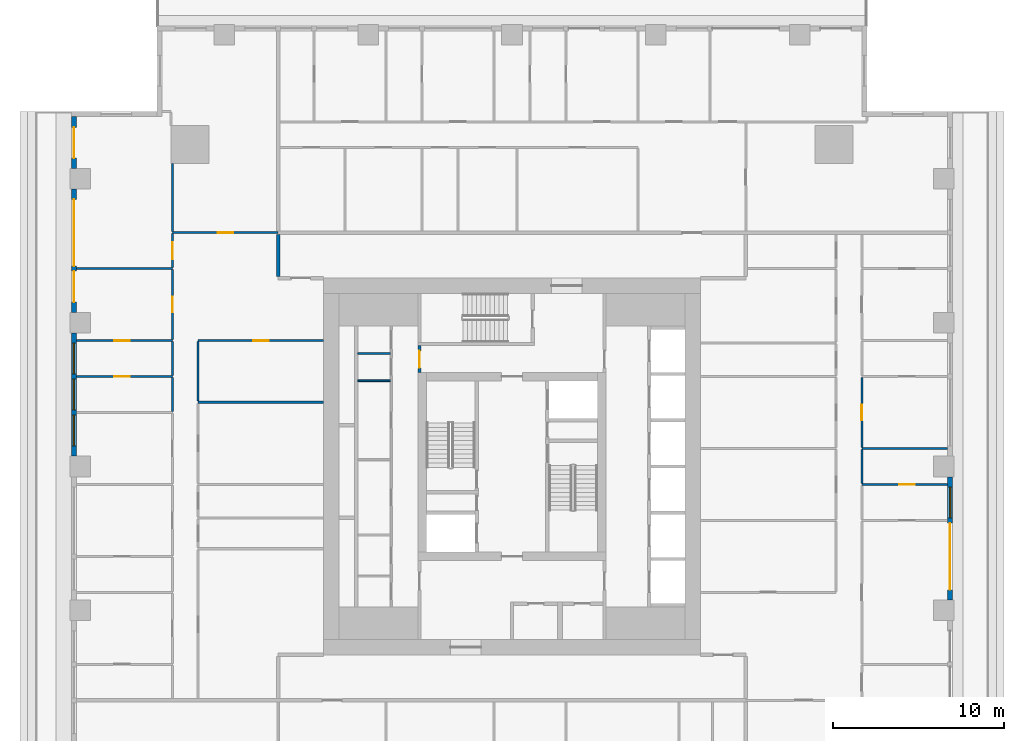
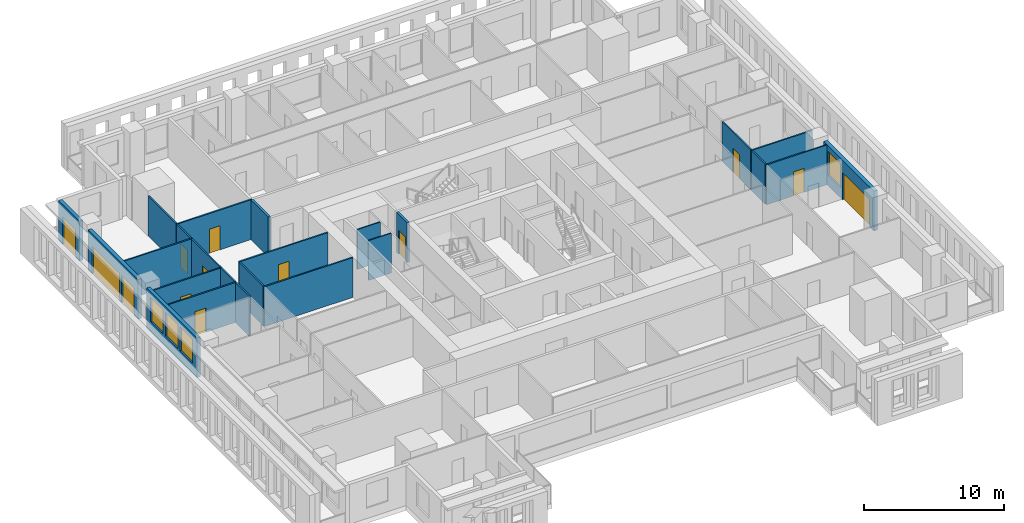
# One storey, part 6 of 14: 24 walls, 13 doors, 4 windows, 17 openings.
"""IFC4 building model written with IfcOpenShell, lengths in metres."""

from ifc_helpers import new_model, si_unit, direction, frame, frame_2d, origin, place, context, subcontext, project, spatial, rectangle, extrude, material, layer, layer_set, type_object, element, fill, save


model = new_model("IFC4")

# Units and contexts
model_context = context("Model", 3, precision=1e-05, world=origin(), true_north=direction((0.0, 1.0)))
body_context = subcontext(model_context, "Body", "Model", "MODEL_VIEW")
ifc_project = project(units=[si_unit("LENGTHUNIT", "METRE"), si_unit("AREAUNIT", "SQUARE_METRE"), si_unit("VOLUMEUNIT", "CUBIC_METRE"), si_unit("PLANEANGLEUNIT", "RADIAN"), si_unit("MASSUNIT", "GRAM", prefix="KILO")], contexts=[model_context])

# Site, building, storey
site_placement = place(None, origin())
site = spatial("IfcSite", under=ifc_project, at=site_placement, CompositionType="ELEMENT")
building_placement = place(site_placement, origin())
building = spatial("IfcBuilding", under=site, at=building_placement, Name="Khepri Terraces", CompositionType="ELEMENT")
storey_placement = place(building_placement, frame((0.0, 0.0, 279.60009765625)))
storey = spatial("IfcBuildingStorey", under=building, at=storey_placement, Name="L67", CompositionType="ELEMENT", Elevation=279.60009765625)

# Walls
ifc_material_1 = material(Name="Fire-rated gypsum board partition")
ifc_layer_1 = layer(ifc_material_1, 0.10009765625, Name="Fire-rated gypsum board partition")
ifc_layer_set_1 = layer_set([ifc_layer_1], Name="Fire-rated gypsum board partition")
wall_type_1 = type_object("IfcWallType", Name="WL-CORE-PART-100", PredefinedType="PARTITIONING", material=ifc_layer_set_1)
for number, where, z_axis, x_axis, name in (
    (1, (-9.0, 5.0, 0.0), (0.0, 0.0, 1.0), (1.0, 0.0, 0.0), "Core partition PT11 L67"),
    (2, (-9.0, 6.60009765625, 0.0), (0.0, 0.0, 1.0), (1.0, 0.0, 0.0), "Core partition PT14 L67"),
):
    element("IfcWall", number, at=place(storey_placement, frame(where, z_axis=z_axis, x_axis=x_axis)), inside=storey, type_object=wall_type_1, Name=name, PredefinedType="PARTITIONING", context=body_context, shape_type="SweptSolid", body=[
        extrude(rectangle(XDim=1.89990234375, YDim=0.10009765625, at=frame_2d((0.949951171875, 0.0))), origin(), (0.0, 0.0, 1.0), 3.47998046875),
    ])

# Wall, opening, door
ifc_layer_2 = layer(ifc_material_1, 0.199951171875, Name="Fire-rated gypsum board partition")
ifc_layer_set_2 = layer_set([ifc_layer_2], Name="Fire-rated gypsum board partition")
wall_type_2 = type_object("IfcWallType", Name="WL-CORE-PART-200", PredefinedType="PARTITIONING", material=ifc_layer_set_2)
wall_1_placement = place(storey_placement, frame((-5.39990234375, 5.5, 0.0), z_axis=(0.0, 0.0, 1.0), x_axis=(0.0, 1.0, 0.0)))
wall_1 = element("IfcWall", 3, at=wall_1_placement, inside=storey, type_object=wall_type_2, Name="Core partition PT12 L67", PredefinedType="PARTITIONING", context=body_context, shape_type="SweptSolid", body=[
    extrude(rectangle(XDim=1.550048828125, YDim=0.199951171875, at=frame_2d((0.77490234375, 0.0))), origin(), (0.0, 0.0, 1.0), 3.47998046875),
])
opening_1_placement = place(wall_1_placement, frame((0.25, 0.0, 0.0)))
opening_1 = element("IfcOpeningElement", 4, at=opening_1_placement, cuts=wall_1, Name="Opening L67-C16", PredefinedType="OPENING", context=body_context, shape_type="SweptSolid", body=[
    extrude(rectangle(XDim=1.0, YDim=2.10009765625, at=frame_2d((0.5, 1.050048828125))), frame((0.0, 0.10986328125, 0.0), z_axis=(0.0, -1.0, 0.0), x_axis=(1.0, 0.0, 0.0)), (0.0, 0.0, 1.0), 0.219970703125),
])
ifc_material_2 = material(Name="Painted steel", Category="steel")
door_type_1 = type_object("IfcDoorType", Name="DR-CORE-LOBBY-1000", OperationType="NOTDEFINED", PredefinedType="DOOR", material=ifc_material_2)
door_1_placement = place(opening_1_placement, frame((1.0, 0.0, 0.0), z_axis=(0.0, 0.0, 1.0), x_axis=(-1.0, 0.0, 0.0)))
door_1 = element("IfcDoor", 5, at=door_1_placement, inside=storey, type_object=door_type_1, Name="Lobby door L67-C16", OperationType="SINGLE_SWING_RIGHT", OverallHeight=2.10009765625, OverallWidth=1.0, PredefinedType="DOOR", context=body_context, shape_type="SweptSolid", body=[
    extrude(rectangle(XDim=1.0, YDim=2.10009765625, at=frame_2d((0.5, 1.050048828125))), frame((0.0, 0.02490234375, 0.0), z_axis=(0.0, -1.0, 0.0), x_axis=(1.0, 0.0, 0.0)), (0.0, 0.0, 1.0), 0.050048828125),
])
fill(opening_1, door_1)

# Wall
ifc_material_3 = material(Name="Fire-rated gypsum plasterboard partition, mineral wool")
ifc_layer_3 = layer(ifc_material_3, 0.199951171875, Name="Fire-rated gypsum plasterboard partition, mineral wool")
ifc_layer_set_3 = layer_set([ifc_layer_3], Name="Fire-rated gypsum plasterboard partition, mineral wool")
wall_type_3 = type_object("IfcWallType", Name="WL-CORR-200", PredefinedType="PARTITIONING", material=ifc_layer_set_3)
wall_2_placement = place(storey_placement, frame((-13.64990234375, 11.10009765625, 0.0), z_axis=(0.0, 0.0, 1.0), x_axis=(0.0, 1.0, 0.0)))
element("IfcWall", 6, at=wall_2_placement, inside=storey, type_object=wall_type_3, Name="Partition P-070 L67", PredefinedType="PARTITIONING", context=body_context, shape_type="SweptSolid", body=[
    extrude(rectangle(XDim=2.449951171875, YDim=0.199951171875, at=frame_2d((1.22509765625, 0.0))), origin(), (0.0, 0.0, 1.0), 3.47998046875),
])

# Wall, openings, door, window
ifc_material_4 = material(Name="Precast concrete C50/60 warm stone", Category="masonry")
ifc_layer_4 = layer(ifc_material_4, 0.300048828125, Name="Precast concrete C50/60 warm stone", Category="masonry")
ifc_layer_set_4 = layer_set([ifc_layer_4], Name="Precast concrete C50/60 warm stone")
wall_type_4 = type_object("IfcWallType", Name="WL-EXT-PRECAST-300", PredefinedType="STANDARD", material=ifc_layer_set_4)
wall_3_placement = place(storey_placement, frame((25.570068359375, -7.800048828125, 0.0), z_axis=(0.0, 0.0, 1.0), x_axis=(0.0, 1.0, 0.0)))
wall_3 = element("IfcWall", 7, at=wall_3_placement, inside=storey, type_object=wall_type_4, Name="External wall L67 E", PredefinedType="STANDARD", context=body_context, shape_type="SweptSolid", body=[
    extrude(rectangle(XDim=7.199951171875, YDim=0.300048828125, at=frame_2d((3.60009765625, 0.0))), origin(), (0.0, 0.0, 1.0), 3.47998046875),
])
opening_2_placement = place(wall_3_placement, frame((0.60009765625, 0.0, 0.0)))
opening_2 = element("IfcOpeningElement", 8, at=opening_2_placement, cuts=wall_3, Name="Opening ED-L67-04", PredefinedType="OPENING", context=body_context, shape_type="SweptSolid", body=[
    extrude(rectangle(XDim=3.89990234375, YDim=2.39990234375, at=frame_2d((1.949951171875, 1.199951171875))), frame((0.0, 0.16015625, 0.0), z_axis=(0.0, -1.0, 0.0), x_axis=(1.0, 0.0, 0.0)), (0.0, 0.0, 1.0), 0.320068359375),
])
opening_3_placement = place(wall_3_placement, frame((4.800048828125, 0.0, 0.89990234375)))
opening_3 = element("IfcOpeningElement", 9, at=opening_3_placement, cuts=wall_3, Name="Opening W1", PredefinedType="OPENING", context=body_context, shape_type="SweptSolid", body=[
    extrude(rectangle(XDim=1.800048828125, YDim=2.10009765625, at=frame_2d((0.89990234375, 1.050048828125))), frame((0.0, 0.16015625, 0.0), z_axis=(0.0, -1.0, 0.0), x_axis=(1.0, 0.0, 0.0)), (0.0, 0.0, 1.0), 0.320068359375),
])
ifc_material_5 = material(Name="Anodised aluminium bronze glazed door", Category="aluminium")
door_type_2 = type_object("IfcDoorType", Name="DR-BAL-SLIDE-3900x2400", OperationType="NOTDEFINED", PredefinedType="DOOR", material=ifc_material_5)
door_2_placement = place(opening_2_placement, origin())
door_2 = element("IfcDoor", 10, at=door_2_placement, inside=storey, type_object=door_type_2, Name="Balcony door L67 E", OperationType="SLIDING_TO_LEFT", OverallHeight=2.39990234375, OverallWidth=3.89990234375, PredefinedType="DOOR", context=body_context, shape_type="SweptSolid", body=[
    extrude(rectangle(XDim=3.89990234375, YDim=2.39990234375, at=frame_2d((1.949951171875, 1.199951171875))), frame((0.0, 0.02490234375, 0.0), z_axis=(0.0, -1.0, 0.0), x_axis=(1.0, 0.0, 0.0)), (0.0, 0.0, 1.0), 0.050048828125),
])
fill(opening_2, door_2)
ifc_material_6 = material(Name="Clear glass", Category="glass")
window_type = type_object("IfcWindowType", Name="WIN-RES-1800x2100", PartitioningType="SINGLE_PANEL", PredefinedType="WINDOW", material=ifc_material_6)
window_1_placement = place(opening_3_placement, origin())
window_1 = element("IfcWindow", 11, at=window_1_placement, inside=storey, type_object=window_type, Name="Window L67 E", OverallHeight=2.10009765625, OverallWidth=1.800048828125, PartitioningType="SINGLE_PANEL", PredefinedType="WINDOW", context=body_context, shape_type="SweptSolid", body=[
    extrude(rectangle(XDim=1.800048828125, YDim=2.10009765625, at=frame_2d((0.89990234375, 1.050048828125))), frame((0.0, 0.030029296875, 0.0), z_axis=(0.0, -1.0, 0.0), x_axis=(1.0, 0.0, 0.0)), (0.0, 0.0, 1.0), 0.06005859375),
])
fill(opening_3, window_1)

# Wall, opening, door
wall_4_placement = place(storey_placement, frame((-25.570068359375, 20.419921875, 0.0), z_axis=(0.0, 0.0, 1.0), x_axis=(0.0, -1.0, 0.0)))
wall_4 = element("IfcWall", 12, at=wall_4_placement, inside=storey, type_object=wall_type_4, Name="External wall L67 W", PredefinedType="STANDARD", context=body_context, shape_type="SweptSolid", body=[
    extrude(rectangle(XDim=3.02001953125, YDim=0.300048828125, at=frame_2d((1.510009765625, 0.0))), origin(), (0.0, 0.0, 1.0), 3.47998046875),
])
opening_4_placement = place(wall_4_placement, frame((0.6201171875, 0.0, 0.0)))
opening_4 = element("IfcOpeningElement", 13, at=opening_4_placement, cuts=wall_4, Name="Opening ED-L67-08", PredefinedType="OPENING", context=body_context, shape_type="SweptSolid", body=[
    extrude(rectangle(XDim=1.800048828125, YDim=2.39990234375, at=frame_2d((0.89990234375, 1.199951171875))), frame((0.0, 0.16015625, 0.0), z_axis=(0.0, -1.0, 0.0), x_axis=(1.0, 0.0, 0.0)), (0.0, 0.0, 1.0), 0.320068359375),
])
door_type_3 = type_object("IfcDoorType", Name="DR-BAL-SLIDE-1800x2400", OperationType="NOTDEFINED", PredefinedType="DOOR", material=ifc_material_5)
door_3_placement = place(opening_4_placement, origin())
door_3 = element("IfcDoor", 14, at=door_3_placement, inside=storey, type_object=door_type_3, Name="Balcony door L67 W", OperationType="SLIDING_TO_RIGHT", OverallHeight=2.39990234375, OverallWidth=1.800048828125, PredefinedType="DOOR", context=body_context, shape_type="SweptSolid", body=[
    extrude(rectangle(XDim=1.800048828125, YDim=2.39990234375, at=frame_2d((0.89990234375, 1.199951171875))), frame((0.0, 0.02490234375, 0.0), z_axis=(0.0, -1.0, 0.0), x_axis=(1.0, 0.0, 0.0)), (0.0, 0.0, 1.0), 0.050048828125),
])
fill(opening_4, door_3)

# Wall, openings, doors
wall_5_placement = place(storey_placement, frame((-25.570068359375, 16.199951171875, 0.0), z_axis=(0.0, 0.0, 1.0), x_axis=(0.0, -1.0, 0.0)))
wall_5 = element("IfcWall", 15, at=wall_5_placement, inside=storey, type_object=wall_type_4, Name="External wall L67 W", PredefinedType="STANDARD", context=body_context, shape_type="SweptSolid", body=[
    extrude(rectangle(XDim=7.199951171875, YDim=0.300048828125, at=frame_2d((3.60009765625, 0.0))), origin(), (0.0, 0.0, 1.0), 3.47998046875),
])
opening_5_placement = place(wall_5_placement, frame((0.60009765625, 0.0, 0.0)))
opening_5 = element("IfcOpeningElement", 16, at=opening_5_placement, cuts=wall_5, Name="Opening ED-L67-09", PredefinedType="OPENING", context=body_context, shape_type="SweptSolid", body=[
    extrude(rectangle(XDim=3.89990234375, YDim=2.39990234375, at=frame_2d((1.949951171875, 1.199951171875))), frame((0.0, 0.16015625, 0.0), z_axis=(0.0, -1.0, 0.0), x_axis=(1.0, 0.0, 0.0)), (0.0, 0.0, 1.0), 0.320068359375),
])
opening_6_placement = place(wall_5_placement, frame((4.800048828125, 0.0, 0.0)))
opening_6 = element("IfcOpeningElement", 17, at=opening_6_placement, cuts=wall_5, Name="Opening ED-L67-10", PredefinedType="OPENING", context=body_context, shape_type="SweptSolid", body=[
    extrude(rectangle(XDim=1.800048828125, YDim=2.39990234375, at=frame_2d((0.89990234375, 1.199951171875))), frame((0.0, 0.16015625, 0.0), z_axis=(0.0, -1.0, 0.0), x_axis=(1.0, 0.0, 0.0)), (0.0, 0.0, 1.0), 0.320068359375),
])
door_4_placement = place(opening_6_placement, origin())
door_4 = element("IfcDoor", 18, at=door_4_placement, inside=storey, type_object=door_type_3, Name="Balcony door L67 W", OperationType="SLIDING_TO_RIGHT", OverallHeight=2.39990234375, OverallWidth=1.800048828125, PredefinedType="DOOR", context=body_context, shape_type="SweptSolid", body=[
    extrude(rectangle(XDim=1.800048828125, YDim=2.39990234375, at=frame_2d((0.89990234375, 1.199951171875))), frame((0.0, 0.02490234375, 0.0), z_axis=(0.0, -1.0, 0.0), x_axis=(1.0, 0.0, 0.0)), (0.0, 0.0, 1.0), 0.050048828125),
])
fill(opening_6, door_4)
door_5_placement = place(opening_5_placement, origin())
door_5 = element("IfcDoor", 19, at=door_5_placement, inside=storey, type_object=door_type_2, Name="Balcony door L67 W", OperationType="SLIDING_TO_LEFT", OverallHeight=2.39990234375, OverallWidth=3.89990234375, PredefinedType="DOOR", context=body_context, shape_type="SweptSolid", body=[
    extrude(rectangle(XDim=3.89990234375, YDim=2.39990234375, at=frame_2d((1.949951171875, 1.199951171875))), frame((0.0, 0.02490234375, 0.0), z_axis=(0.0, -1.0, 0.0), x_axis=(1.0, 0.0, 0.0)), (0.0, 0.0, 1.0), 0.050048828125),
])
fill(opening_5, door_5)

# Wall, openings, windows
wall_6_placement = place(storey_placement, frame((-25.570068359375, 7.800048828125, 0.0), z_axis=(0.0, 0.0, 1.0), x_axis=(0.0, -1.0, 0.0)))
wall_6 = element("IfcWall", 20, at=wall_6_placement, inside=storey, type_object=wall_type_4, Name="External wall L67 W", PredefinedType="STANDARD", context=body_context, shape_type="SweptSolid", body=[
    extrude(rectangle(XDim=7.199951171875, YDim=0.300048828125, at=frame_2d((3.60009765625, 0.0))), origin(), (0.0, 0.0, 1.0), 3.47998046875),
])
opening_7_placement = place(wall_6_placement, frame((0.60009765625, 0.0, 0.89990234375)))
opening_7 = element("IfcOpeningElement", 21, at=opening_7_placement, cuts=wall_6, Name="Opening W1", PredefinedType="OPENING", context=body_context, shape_type="SweptSolid", body=[
    extrude(rectangle(XDim=1.800048828125, YDim=2.10009765625, at=frame_2d((0.89990234375, 1.050048828125))), frame((0.0, 0.16015625, 0.0), z_axis=(0.0, -1.0, 0.0), x_axis=(1.0, 0.0, 0.0)), (0.0, 0.0, 1.0), 0.320068359375),
])
opening_8_placement = place(wall_6_placement, frame((2.699951171875, 0.0, 0.89990234375)))
opening_8 = element("IfcOpeningElement", 22, at=opening_8_placement, cuts=wall_6, Name="Opening W1", PredefinedType="OPENING", context=body_context, shape_type="SweptSolid", body=[
    extrude(rectangle(XDim=1.800048828125, YDim=2.10009765625, at=frame_2d((0.89990234375, 1.050048828125))), frame((0.0, 0.16015625, 0.0), z_axis=(0.0, -1.0, 0.0), x_axis=(1.0, 0.0, 0.0)), (0.0, 0.0, 1.0), 0.320068359375),
])
opening_9_placement = place(wall_6_placement, frame((4.800048828125, 0.0, 0.89990234375)))
opening_9 = element("IfcOpeningElement", 23, at=opening_9_placement, cuts=wall_6, Name="Opening W1", PredefinedType="OPENING", context=body_context, shape_type="SweptSolid", body=[
    extrude(rectangle(XDim=1.800048828125, YDim=2.10009765625, at=frame_2d((0.89990234375, 1.050048828125))), frame((0.0, 0.16015625, 0.0), z_axis=(0.0, -1.0, 0.0), x_axis=(1.0, 0.0, 0.0)), (0.0, 0.0, 1.0), 0.320068359375),
])
window_2_placement = place(opening_7_placement, origin())
window_2 = element("IfcWindow", 24, at=window_2_placement, inside=storey, type_object=window_type, Name="Window L67 W", OverallHeight=2.10009765625, OverallWidth=1.800048828125, PartitioningType="SINGLE_PANEL", PredefinedType="WINDOW", context=body_context, shape_type="SweptSolid", body=[
    extrude(rectangle(XDim=1.800048828125, YDim=2.10009765625, at=frame_2d((0.89990234375, 1.050048828125))), frame((0.0, 0.030029296875, 0.0), z_axis=(0.0, -1.0, 0.0), x_axis=(1.0, 0.0, 0.0)), (0.0, 0.0, 1.0), 0.06005859375),
])
fill(opening_7, window_2)
window_3_placement = place(opening_8_placement, origin())
window_3 = element("IfcWindow", 25, at=window_3_placement, inside=storey, type_object=window_type, Name="Window L67 W", OverallHeight=2.10009765625, OverallWidth=1.800048828125, PartitioningType="SINGLE_PANEL", PredefinedType="WINDOW", context=body_context, shape_type="SweptSolid", body=[
    extrude(rectangle(XDim=1.800048828125, YDim=2.10009765625, at=frame_2d((0.89990234375, 1.050048828125))), frame((0.0, 0.030029296875, 0.0), z_axis=(0.0, -1.0, 0.0), x_axis=(1.0, 0.0, 0.0)), (0.0, 0.0, 1.0), 0.06005859375),
])
fill(opening_8, window_3)
window_4_placement = place(opening_9_placement, origin())
window_4 = element("IfcWindow", 26, at=window_4_placement, inside=storey, type_object=window_type, Name="Window L67 W", OverallHeight=2.10009765625, OverallWidth=1.800048828125, PartitioningType="SINGLE_PANEL", PredefinedType="WINDOW", context=body_context, shape_type="SweptSolid", body=[
    extrude(rectangle(XDim=1.800048828125, YDim=2.10009765625, at=frame_2d((0.89990234375, 1.050048828125))), frame((0.0, 0.030029296875, 0.0), z_axis=(0.0, -1.0, 0.0), x_axis=(1.0, 0.0, 0.0)), (0.0, 0.0, 1.0), 0.06005859375),
])
fill(opening_9, window_4)

# Wall, opening, door
ifc_material_7 = material(Name="Gypsum plasterboard partition")
ifc_layer_5 = layer(ifc_material_7, 0.1201171875, Name="Gypsum plasterboard partition")
ifc_layer_set_5 = layer_set([ifc_layer_5], Name="Gypsum plasterboard partition")
wall_type_5 = type_object("IfcWallType", Name="WL-PART-120", PredefinedType="PARTITIONING", material=ifc_layer_set_5)
wall_7_placement = place(storey_placement, frame((20.419921875, -1.050048828125, 0.0), z_axis=(0.0, 0.0, 1.0), x_axis=(1.0, 0.0, 0.0)))
wall_7 = element("IfcWall", 27, at=wall_7_placement, inside=storey, type_object=wall_type_5, Name="Partition P-043 L67", PredefinedType="PARTITIONING", context=body_context, shape_type="SweptSolid", body=[
    extrude(rectangle(XDim=5.0, YDim=0.1201171875, at=frame_2d((2.5, 0.0))), origin(), (0.0, 0.0, 1.0), 3.47998046875),
])
opening_10_placement = place(wall_7_placement, frame((2.199951171875, 0.0, 0.0)))
opening_10 = element("IfcOpeningElement", 28, at=opening_10_placement, cuts=wall_7, Name="Opening D4", PredefinedType="OPENING", context=body_context, shape_type="SweptSolid", body=[
    extrude(rectangle(XDim=0.89990234375, YDim=2.10009765625, at=frame_2d((0.449951171875, 1.050048828125))), frame((0.0, 0.070068359375, 0.0), z_axis=(0.0, -1.0, 0.0), x_axis=(1.0, 0.0, 0.0)), (0.0, 0.0, 1.0), 0.14013671875),
])
ifc_material_8 = material(Name="Timber door leaf, moisture resistant", Category="wood")
door_type_4 = type_object("IfcDoorType", Name="DR-WET-900", OperationType="NOTDEFINED", PredefinedType="DOOR", material=ifc_material_8)
door_6_placement = place(opening_10_placement, origin())
door_6 = element("IfcDoor", 29, at=door_6_placement, inside=storey, type_object=door_type_4, Name="Door Bathroom", OperationType="SINGLE_SWING_RIGHT", OverallHeight=2.10009765625, OverallWidth=0.89990234375, PredefinedType="DOOR", context=body_context, shape_type="SweptSolid", body=[
    extrude(rectangle(XDim=0.89990234375, YDim=2.10009765625, at=frame_2d((0.449951171875, 1.050048828125))), frame((0.0, 0.02490234375, 0.0), z_axis=(0.0, -1.0, 0.0), x_axis=(1.0, 0.0, 0.0)), (0.0, 0.0, 1.0), 0.050048828125),
])
fill(opening_10, door_6)

# Walls
wall_8_placement = place(storey_placement, frame((20.419921875, -0.989990234375, 0.0), z_axis=(0.0, 0.0, 1.0), x_axis=(0.0, 1.0, 0.0)))
element("IfcWall", 30, at=wall_8_placement, inside=storey, type_object=wall_type_5, Name="Partition P-046 L67", PredefinedType="PARTITIONING", context=body_context, shape_type="SweptSolid", body=[
    extrude(rectangle(XDim=1.97998046875, YDim=0.1201171875, at=frame_2d((0.989990234375, 0.0))), origin(), (0.0, 0.0, 1.0), 3.47998046875),
])
wall_9_placement = place(storey_placement, frame((20.419921875, 1.050048828125, 0.0), z_axis=(0.0, 0.0, 1.0), x_axis=(1.0, 0.0, 0.0)))
element("IfcWall", 31, at=wall_9_placement, inside=storey, type_object=wall_type_5, Name="Partition P-048 L67", PredefinedType="PARTITIONING", context=body_context, shape_type="SweptSolid", body=[
    extrude(rectangle(XDim=5.0, YDim=0.1201171875, at=frame_2d((2.5, 0.0))), origin(), (0.0, 0.0, 1.0), 3.47998046875),
])

# Wall, opening, door
wall_10_placement = place(storey_placement, frame((20.419921875, 1.110107421875, 0.0), z_axis=(0.0, 0.0, 1.0), x_axis=(0.0, 1.0, 0.0)))
wall_10 = element("IfcWall", 32, at=wall_10_placement, inside=storey, type_object=wall_type_5, Name="Partition P-050 L67", PredefinedType="PARTITIONING", context=body_context, shape_type="SweptSolid", body=[
    extrude(rectangle(XDim=4.079833984375, YDim=0.1201171875, at=frame_2d((2.0400390625, 0.0))), origin(), (0.0, 0.0, 1.0), 3.47998046875),
])
opening_11_placement = place(wall_10_placement, frame((1.590087890625, 0.0, 0.0)))
opening_11 = element("IfcOpeningElement", 33, at=opening_11_placement, cuts=wall_10, Name="Opening D3", PredefinedType="OPENING", context=body_context, shape_type="SweptSolid", body=[
    extrude(rectangle(XDim=0.89990234375, YDim=2.10009765625, at=frame_2d((0.449951171875, 1.050048828125))), frame((0.0, 0.070068359375, 0.0), z_axis=(0.0, -1.0, 0.0), x_axis=(1.0, 0.0, 0.0)), (0.0, 0.0, 1.0), 0.14013671875),
])
ifc_material_9 = material(Name="Timber door leaf", Category="wood")
door_type_5 = type_object("IfcDoorType", Name="DR-INT-900", OperationType="NOTDEFINED", PredefinedType="DOOR", material=ifc_material_9)
door_7_placement = place(opening_11_placement, frame((0.89990234375, 0.0, 0.0), z_axis=(0.0, 0.0, 1.0), x_axis=(-1.0, 0.0, 0.0)))
door_7 = element("IfcDoor", 34, at=door_7_placement, inside=storey, type_object=door_type_5, Name="Door Bedroom", OperationType="SINGLE_SWING_LEFT", OverallHeight=2.10009765625, OverallWidth=0.89990234375, PredefinedType="DOOR", context=body_context, shape_type="SweptSolid", body=[
    extrude(rectangle(XDim=0.89990234375, YDim=2.10009765625, at=frame_2d((0.449951171875, 1.050048828125))), frame((0.0, 0.02490234375, 0.0), z_axis=(0.0, -1.0, 0.0), x_axis=(1.0, 0.0, 0.0)), (0.0, 0.0, 1.0), 0.050048828125),
])
fill(opening_11, door_7)

# Walls
wall_11_placement = place(storey_placement, frame((-19.820068359375, 3.2099609375, 0.0), z_axis=(0.0, 0.0, 1.0), x_axis=(0.0, 1.0, 0.0)))
element("IfcWall", 35, at=wall_11_placement, inside=storey, type_object=wall_type_5, Name="Partition P-052 L67", PredefinedType="PARTITIONING", context=body_context, shape_type="SweptSolid", body=[
    extrude(rectangle(XDim=1.97998046875, YDim=0.1201171875, at=frame_2d((0.989990234375, 0.0))), origin(), (0.0, 0.0, 1.0), 3.47998046875),
])
wall_12_placement = place(storey_placement, frame((-18.320068359375, 3.75, 0.0), z_axis=(0.0, 0.0, 1.0), x_axis=(1.0, 0.0, 0.0)))
element("IfcWall", 36, at=wall_12_placement, inside=storey, type_object=wall_type_5, Name="Partition P-053 L67", PredefinedType="PARTITIONING", context=body_context, shape_type="SweptSolid", body=[
    extrude(rectangle(XDim=7.320068359375, YDim=0.1201171875, at=frame_2d((3.66015625, 0.0))), origin(), (0.0, 0.0, 1.0), 3.47998046875),
])
wall_13_placement = place(storey_placement, frame((-18.320068359375, 3.81005859375, 0.0), z_axis=(0.0, 0.0, 1.0), x_axis=(0.0, 1.0, 0.0)))
element("IfcWall", 37, at=wall_13_placement, inside=storey, type_object=wall_type_5, Name="Partition P-054 L67", PredefinedType="PARTITIONING", context=body_context, shape_type="SweptSolid", body=[
    extrude(rectangle(XDim=3.47998046875, YDim=0.1201171875, at=frame_2d((1.739990234375, 0.0))), origin(), (0.0, 0.0, 1.0), 3.47998046875),
])

# Wall, opening, door
wall_14_placement = place(storey_placement, frame((-25.419921875, 5.25, 0.0), z_axis=(0.0, 0.0, 1.0), x_axis=(1.0, 0.0, 0.0)))
wall_14 = element("IfcWall", 38, at=wall_14_placement, inside=storey, type_object=wall_type_5, Name="Partition P-055 L67", PredefinedType="PARTITIONING", context=body_context, shape_type="SweptSolid", body=[
    extrude(rectangle(XDim=5.599853515625, YDim=0.1201171875, at=frame_2d((2.7998046875, 0.0))), origin(), (0.0, 0.0, 1.0), 3.47998046875),
])
opening_12_placement = place(wall_14_placement, frame((2.199951171875, 0.0, 0.0)))
opening_12 = element("IfcOpeningElement", 39, at=opening_12_placement, cuts=wall_14, Name="Opening D4", PredefinedType="OPENING", context=body_context, shape_type="SweptSolid", body=[
    extrude(rectangle(XDim=0.89990234375, YDim=2.10009765625, at=frame_2d((0.449951171875, 1.050048828125))), frame((0.0, 0.070068359375, 0.0), z_axis=(0.0, -1.0, 0.0), x_axis=(1.0, 0.0, 0.0)), (0.0, 0.0, 1.0), 0.14013671875),
])
door_8_placement = place(opening_12_placement, frame((0.89990234375, 0.0, 0.0), z_axis=(0.0, 0.0, 1.0), x_axis=(-1.0, 0.0, 0.0)))
door_8 = element("IfcDoor", 40, at=door_8_placement, inside=storey, type_object=door_type_4, Name="Door Bathroom", OperationType="SINGLE_SWING_RIGHT", OverallHeight=2.10009765625, OverallWidth=0.89990234375, PredefinedType="DOOR", context=body_context, shape_type="SweptSolid", body=[
    extrude(rectangle(XDim=0.89990234375, YDim=2.10009765625, at=frame_2d((0.449951171875, 1.050048828125))), frame((0.0, 0.02490234375, 0.0), z_axis=(0.0, -1.0, 0.0), x_axis=(1.0, 0.0, 0.0)), (0.0, 0.0, 1.0), 0.050048828125),
])
fill(opening_12, door_8)

# Wall
wall_15_placement = place(storey_placement, frame((-19.820068359375, 5.31005859375, 0.0), z_axis=(0.0, 0.0, 1.0), x_axis=(0.0, 1.0, 0.0)))
element("IfcWall", 41, at=wall_15_placement, inside=storey, type_object=wall_type_5, Name="Partition P-058 L67", PredefinedType="PARTITIONING", context=body_context, shape_type="SweptSolid", body=[
    extrude(rectangle(XDim=1.97998046875, YDim=0.1201171875, at=frame_2d((0.989990234375, 0.0))), origin(), (0.0, 0.0, 1.0), 3.47998046875),
])

# Wall, opening, door
wall_16_placement = place(storey_placement, frame((-25.419921875, 7.35009765625, 0.0), z_axis=(0.0, 0.0, 1.0), x_axis=(1.0, 0.0, 0.0)))
wall_16 = element("IfcWall", 42, at=wall_16_placement, inside=storey, type_object=wall_type_5, Name="Partition P-063 L67", PredefinedType="PARTITIONING", context=body_context, shape_type="SweptSolid", body=[
    extrude(rectangle(XDim=5.599853515625, YDim=0.1201171875, at=frame_2d((2.7998046875, 0.0))), origin(), (0.0, 0.0, 1.0), 3.47998046875),
])
opening_13_placement = place(wall_16_placement, frame((2.199951171875, 0.0, 0.0)))
opening_13 = element("IfcOpeningElement", 43, at=opening_13_placement, cuts=wall_16, Name="Opening D3", PredefinedType="OPENING", context=body_context, shape_type="SweptSolid", body=[
    extrude(rectangle(XDim=0.89990234375, YDim=2.10009765625, at=frame_2d((0.449951171875, 1.050048828125))), frame((0.0, 0.070068359375, 0.0), z_axis=(0.0, -1.0, 0.0), x_axis=(1.0, 0.0, 0.0)), (0.0, 0.0, 1.0), 0.14013671875),
])
door_9_placement = place(opening_13_placement, frame((0.89990234375, 0.0, 0.0), z_axis=(0.0, 0.0, 1.0), x_axis=(-1.0, 0.0, 0.0)))
door_9 = element("IfcDoor", 44, at=door_9_placement, inside=storey, type_object=door_type_5, Name="Door Dressing Room", OperationType="SINGLE_SWING_RIGHT", OverallHeight=2.10009765625, OverallWidth=0.89990234375, PredefinedType="DOOR", context=body_context, shape_type="SweptSolid", body=[
    extrude(rectangle(XDim=0.89990234375, YDim=2.10009765625, at=frame_2d((0.449951171875, 1.050048828125))), frame((0.0, 0.02490234375, 0.0), z_axis=(0.0, -1.0, 0.0), x_axis=(1.0, 0.0, 0.0)), (0.0, 0.0, 1.0), 0.050048828125),
])
fill(opening_13, door_9)

wall_17_placement = place(storey_placement, frame((-18.320068359375, 7.35009765625, 0.0), z_axis=(0.0, 0.0, 1.0), x_axis=(1.0, 0.0, 0.0)))
wall_17 = element("IfcWall", 45, at=wall_17_placement, inside=storey, type_object=wall_type_5, Name="Partition P-064 L67", PredefinedType="PARTITIONING", context=body_context, shape_type="SweptSolid", body=[
    extrude(rectangle(XDim=7.320068359375, YDim=0.1201171875, at=frame_2d((3.66015625, 0.0))), origin(), (0.0, 0.0, 1.0), 3.47998046875),
])
opening_14_placement = place(wall_17_placement, frame((3.2099609375, 0.0, 0.0)))
opening_14 = element("IfcOpeningElement", 46, at=opening_14_placement, cuts=wall_17, Name="Opening D3", PredefinedType="OPENING", context=body_context, shape_type="SweptSolid", body=[
    extrude(rectangle(XDim=0.89990234375, YDim=2.10009765625, at=frame_2d((0.449951171875, 1.050048828125))), frame((0.0, 0.070068359375, 0.0), z_axis=(0.0, -1.0, 0.0), x_axis=(1.0, 0.0, 0.0)), (0.0, 0.0, 1.0), 0.14013671875),
])
door_10_placement = place(opening_14_placement, frame((0.89990234375, 0.0, 0.0), z_axis=(0.0, 0.0, 1.0), x_axis=(-1.0, 0.0, 0.0)))
door_10 = element("IfcDoor", 47, at=door_10_placement, inside=storey, type_object=door_type_5, Name="Door Kitchen", OperationType="SINGLE_SWING_LEFT", OverallHeight=2.10009765625, OverallWidth=0.89990234375, PredefinedType="DOOR", context=body_context, shape_type="SweptSolid", body=[
    extrude(rectangle(XDim=0.89990234375, YDim=2.10009765625, at=frame_2d((0.449951171875, 1.050048828125))), frame((0.0, 0.02490234375, 0.0), z_axis=(0.0, -1.0, 0.0), x_axis=(1.0, 0.0, 0.0)), (0.0, 0.0, 1.0), 0.050048828125),
])
fill(opening_14, door_10)

wall_18_placement = place(storey_placement, frame((-19.820068359375, 7.409912109375, 0.0), z_axis=(0.0, 0.0, 1.0), x_axis=(0.0, 1.0, 0.0)))
wall_18 = element("IfcWall", 48, at=wall_18_placement, inside=storey, type_object=wall_type_5, Name="Partition P-066 L67", PredefinedType="PARTITIONING", context=body_context, shape_type="SweptSolid", body=[
    extrude(rectangle(XDim=4.080078125, YDim=0.1201171875, at=frame_2d((2.0400390625, 0.0))), origin(), (0.0, 0.0, 1.0), 3.47998046875),
])
opening_15_placement = place(wall_18_placement, frame((1.590087890625, 0.0, 0.0)))
opening_15 = element("IfcOpeningElement", 49, at=opening_15_placement, cuts=wall_18, Name="Opening D3", PredefinedType="OPENING", context=body_context, shape_type="SweptSolid", body=[
    extrude(rectangle(XDim=0.89990234375, YDim=2.10009765625, at=frame_2d((0.449951171875, 1.050048828125))), frame((0.0, 0.070068359375, 0.0), z_axis=(0.0, -1.0, 0.0), x_axis=(1.0, 0.0, 0.0)), (0.0, 0.0, 1.0), 0.14013671875),
])
door_11_placement = place(opening_15_placement, origin())
door_11 = element("IfcDoor", 50, at=door_11_placement, inside=storey, type_object=door_type_5, Name="Door Master Bedroom", OperationType="SINGLE_SWING_LEFT", OverallHeight=2.10009765625, OverallWidth=0.89990234375, PredefinedType="DOOR", context=body_context, shape_type="SweptSolid", body=[
    extrude(rectangle(XDim=0.89990234375, YDim=2.10009765625, at=frame_2d((0.449951171875, 1.050048828125))), frame((0.0, 0.02490234375, 0.0), z_axis=(0.0, -1.0, 0.0), x_axis=(1.0, 0.0, 0.0)), (0.0, 0.0, 1.0), 0.050048828125),
])
fill(opening_15, door_11)

# Wall
wall_19_placement = place(storey_placement, frame((-25.419921875, 11.550048828125, 0.0), z_axis=(0.0, 0.0, 1.0), x_axis=(1.0, 0.0, 0.0)))
element("IfcWall", 51, at=wall_19_placement, inside=storey, type_object=wall_type_5, Name="Partition P-072 L67", PredefinedType="PARTITIONING", context=body_context, shape_type="SweptSolid", body=[
    extrude(rectangle(XDim=5.599853515625, YDim=0.1201171875, at=frame_2d((2.7998046875, 0.0))), origin(), (0.0, 0.0, 1.0), 3.47998046875),
])

# Wall, opening, door
wall_20_placement = place(storey_placement, frame((-19.820068359375, 11.610107421875, 0.0), z_axis=(0.0, 0.0, 1.0), x_axis=(0.0, 1.0, 0.0)))
wall_20 = element("IfcWall", 52, at=wall_20_placement, inside=storey, type_object=wall_type_5, Name="Partition P-075 L67", PredefinedType="PARTITIONING", context=body_context, shape_type="SweptSolid", body=[
    extrude(rectangle(XDim=1.97998046875, YDim=0.1201171875, at=frame_2d((0.989990234375, 0.0))), origin(), (0.0, 0.0, 1.0), 3.47998046875),
])
opening_16_placement = place(wall_20_placement, frame((0.489990234375, 0.0, 0.0)))
opening_16 = element("IfcOpeningElement", 53, at=opening_16_placement, cuts=wall_20, Name="Opening D2", PredefinedType="OPENING", context=body_context, shape_type="SweptSolid", body=[
    extrude(rectangle(XDim=1.0, YDim=2.10009765625, at=frame_2d((0.5, 1.050048828125))), frame((0.0, 0.070068359375, 0.0), z_axis=(0.0, -1.0, 0.0), x_axis=(1.0, 0.0, 0.0)), (0.0, 0.0, 1.0), 0.14013671875),
])
ifc_material_10 = material(Name="Timber door leaf, living room door", Category="wood")
door_type_6 = type_object("IfcDoorType", Name="DR-INT-1000", OperationType="NOTDEFINED", PredefinedType="DOOR", material=ifc_material_10)
door_12_placement = place(opening_16_placement, origin())
door_12 = element("IfcDoor", 54, at=door_12_placement, inside=storey, type_object=door_type_6, Name="Door Living Room", OperationType="SINGLE_SWING_RIGHT", OverallHeight=2.10009765625, OverallWidth=1.0, PredefinedType="DOOR", context=body_context, shape_type="SweptSolid", body=[
    extrude(rectangle(XDim=1.0, YDim=2.10009765625, at=frame_2d((0.5, 1.050048828125))), frame((0.0, 0.02490234375, 0.0), z_axis=(0.0, -1.0, 0.0), x_axis=(1.0, 0.0, 0.0)), (0.0, 0.0, 1.0), 0.050048828125),
])
fill(opening_16, door_12)

wall_21_placement = place(storey_placement, frame((-19.820068359375, 13.64990234375, 0.0), z_axis=(0.0, 0.0, 1.0), x_axis=(1.0, 0.0, 0.0)))
wall_21 = element("IfcWall", 55, at=wall_21_placement, inside=storey, type_object=wall_type_5, Name="Partition P-078 L67", PredefinedType="PARTITIONING", context=body_context, shape_type="SweptSolid", body=[
    extrude(rectangle(XDim=6.170166015625, YDim=0.1201171875, at=frame_2d((3.0849609375, 0.0))), origin(), (0.0, 0.0, 1.0), 3.47998046875),
])
opening_17_placement = place(wall_21_placement, frame((2.635009765625, 0.0, 0.0)))
opening_17 = element("IfcOpeningElement", 56, at=opening_17_placement, cuts=wall_21, Name="Opening D3", PredefinedType="OPENING", context=body_context, shape_type="SweptSolid", body=[
    extrude(rectangle(XDim=0.89990234375, YDim=2.10009765625, at=frame_2d((0.449951171875, 1.050048828125))), frame((0.0, 0.070068359375, 0.0), z_axis=(0.0, -1.0, 0.0), x_axis=(1.0, 0.0, 0.0)), (0.0, 0.0, 1.0), 0.14013671875),
])
door_13_placement = place(opening_17_placement, origin())
door_13 = element("IfcDoor", 57, at=door_13_placement, inside=storey, type_object=door_type_5, Name="Door Home Cinema", OperationType="SINGLE_SWING_RIGHT", OverallHeight=2.10009765625, OverallWidth=0.89990234375, PredefinedType="DOOR", context=body_context, shape_type="SweptSolid", body=[
    extrude(rectangle(XDim=0.89990234375, YDim=2.10009765625, at=frame_2d((0.449951171875, 1.050048828125))), frame((0.0, 0.02490234375, 0.0), z_axis=(0.0, -1.0, 0.0), x_axis=(1.0, 0.0, 0.0)), (0.0, 0.0, 1.0), 0.050048828125),
])
fill(opening_17, door_13)

# Wall
wall_22_placement = place(storey_placement, frame((-19.820068359375, 13.7099609375, 0.0), z_axis=(0.0, 0.0, 1.0), x_axis=(0.0, 1.0, 0.0)))
element("IfcWall", 58, at=wall_22_placement, inside=storey, type_object=wall_type_5, Name="Partition P-080 L67", PredefinedType="PARTITIONING", context=body_context, shape_type="SweptSolid", body=[
    extrude(rectangle(XDim=3.989990234375, YDim=0.1201171875, at=frame_2d((1.9951171875, 0.0))), origin(), (0.0, 0.0, 1.0), 3.47998046875),
])

save(model, "model.ifc")
